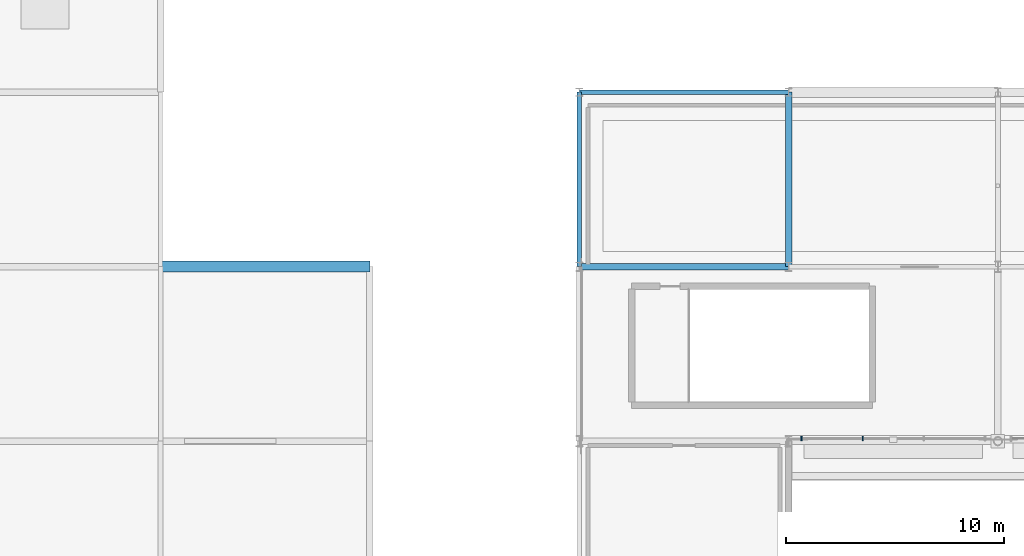
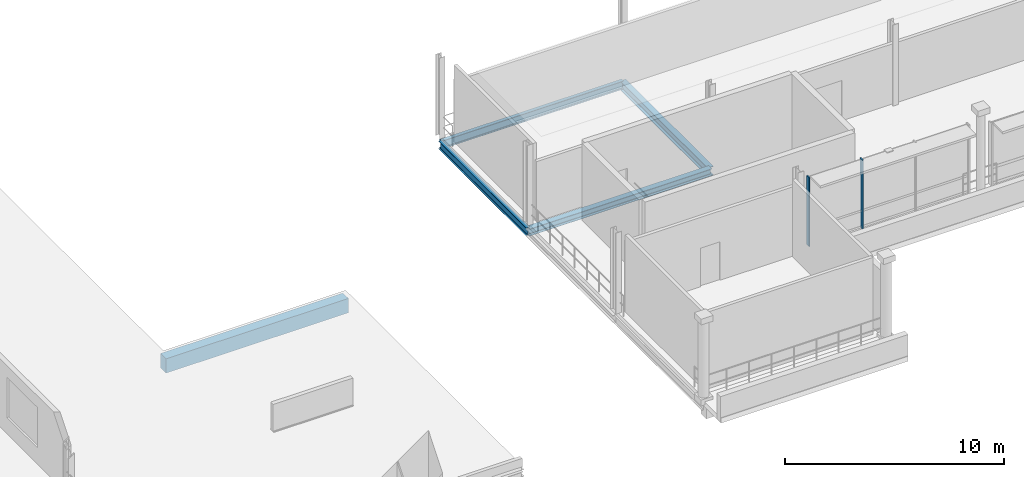
# One storey, part 73 of 193: 5 beams, 2 members, 1 element without a shape of its own.
"""IFC4 building model written with IfcOpenShell, lengths in metres."""

from ifc_helpers import new_model, si_unit, direction, frame, origin, origin_2d, place, context, subcontext, project, spatial, rectangle, i_section, extrude, material, material_profile, profile_set, type_object, element, aggregate, save


model = new_model("IFC4")

# Units and contexts
model_context = context("Model", 3, precision=1e-05, world=origin(), true_north=direction((0.0, 1.0)))
body_context = subcontext(model_context, "Body", "Model", "MODEL_VIEW")
ifc_project = project(units=[si_unit("LENGTHUNIT", "METRE"), si_unit("AREAUNIT", "SQUARE_METRE"), si_unit("VOLUMEUNIT", "CUBIC_METRE"), si_unit("PLANEANGLEUNIT", "RADIAN"), si_unit("MASSUNIT", "GRAM", prefix="KILO")], contexts=[model_context])

# Site, building, storey
site_placement = place(None, origin())
site = spatial("IfcSite", under=ifc_project, at=site_placement, CompositionType="ELEMENT")
building_placement = place(site_placement, origin())
building = spatial("IfcBuilding", under=site, at=building_placement, Name="Danafjord Basin Convention Centre", CompositionType="ELEMENT")
storey_placement = place(building_placement, frame((0.0, 0.0, 11.39990234375)))
storey = spatial("IfcBuildingStorey", under=building, at=storey_placement, Name="L02", CompositionType="ELEMENT", Elevation=11.39990234375)

# Beams
ifc_material_1 = material(Name="Steel S355", Category="steel")
ifc_material_profile_1 = material_profile(ifc_material_1, i_section(OverallWidth=0.300048828125, OverallDepth=0.389892578125, WebThickness=0.010986328125, FlangeThickness=0.01904296875, FilletRadius=0.027099609375, at=origin_2d()), Name="HEA 400")
ifc_profile_set_1 = profile_set([ifc_material_profile_1], Name="Steel S355")
beam_type_1 = type_object("IfcBeamType", Name="BEAM-BM-HEA400", PredefinedType="BEAM", material=ifc_profile_set_1)
beam_1_placement = place(storey_placement, frame((144.0, 16.0, -0.4248046875), z_axis=(1.0, 0.0, 0.0), x_axis=(0.0, 1.0, 0.0)))
element("IfcBeam", 1, at=beam_1_placement, inside=storey, type_object=beam_type_1, Name="L02 girder BM-HEA400", PredefinedType="BEAM", context=body_context, shape_type="SweptSolid", body=[
    extrude(i_section(OverallWidth=0.300048828125, OverallDepth=0.389892578125, WebThickness=0.010986328125, FlangeThickness=0.01904296875, FilletRadius=0.027099609375, at=origin_2d()), origin(), (0.0, 0.0, 1.0), 9.60009765625),
])
ifc_material_profile_2 = material_profile(ifc_material_1, i_section(OverallWidth=0.300048828125, OverallDepth=0.5, WebThickness=0.014404296875, FlangeThickness=0.028076171875, FilletRadius=0.027099609375, at=origin_2d()), Name="HEB 500")
ifc_profile_set_2 = profile_set([ifc_material_profile_2], Name="Steel S355")
beam_type_2 = type_object("IfcBeamType", Name="BEAM-BM-HEB500", PredefinedType="BEAM", material=ifc_profile_set_2)
beam_2_placement = place(storey_placement, frame((153.60009765625, 16.0, -0.47998046875), z_axis=(0.0, 1.0, 0.0), x_axis=(-1.0, 0.0, 0.0)))
element("IfcBeam", 2, at=beam_2_placement, inside=storey, type_object=beam_type_2, Name="L02 transverse girder BM-HEB500", PredefinedType="BEAM", context=body_context, shape_type="SweptSolid", body=[
    extrude(i_section(OverallWidth=0.300048828125, OverallDepth=0.5, WebThickness=0.014404296875, FlangeThickness=0.028076171875, FilletRadius=0.027099609375, at=origin_2d()), origin(), (0.0, 0.0, 1.0), 8.0),
])
ifc_material_profile_3 = material_profile(ifc_material_1, i_section(OverallWidth=0.18994140625, OverallDepth=0.449951171875, WebThickness=0.009521484375, FlangeThickness=0.0146484375, FilletRadius=0.02099609375, at=origin_2d()), Name="IPE 450")
ifc_profile_set_3 = profile_set([ifc_material_profile_3], Name="Steel S355")
beam_type_3 = type_object("IfcBeamType", Name="BEAM-SP-IPE450", PredefinedType="SPANDREL", material=ifc_profile_set_3)
beam_3_placement = place(storey_placement, frame((144.0, 24.0, -0.454833984375), z_axis=(1.0, 0.0, 0.0), x_axis=(0.0, 1.0, 0.0)))
element("IfcBeam", 3, at=beam_3_placement, inside=storey, type_object=beam_type_3, Name="L02 girder SP-IPE450", PredefinedType="SPANDREL", context=body_context, shape_type="SweptSolid", body=[
    extrude(i_section(OverallWidth=0.18994140625, OverallDepth=0.449951171875, WebThickness=0.009521484375, FlangeThickness=0.0146484375, FilletRadius=0.02099609375, at=origin_2d()), origin(), (0.0, 0.0, 1.0), 9.60009765625),
])
beam_4_placement = place(storey_placement, frame((144.0, 16.0, -0.454833984375), z_axis=(0.0, 1.0, 0.0), x_axis=(-1.0, 0.0, 0.0)))
element("IfcBeam", 4, at=beam_4_placement, inside=storey, type_object=beam_type_3, Name="L02 transverse girder SP-IPE450", PredefinedType="SPANDREL", context=body_context, shape_type="SweptSolid", body=[
    extrude(i_section(OverallWidth=0.18994140625, OverallDepth=0.449951171875, WebThickness=0.009521484375, FlangeThickness=0.0146484375, FilletRadius=0.02099609375, at=origin_2d()), origin(), (0.0, 0.0, 1.0), 8.0),
])
ifc_material_2 = material(Name="Precast concrete C45/55", Category="concrete")
ifc_material_profile_4 = material_profile(ifc_material_2, rectangle(XDim=0.5, YDim=0.800048828125, at=origin_2d()), Name="PCB 500x800")
ifc_profile_set_4 = profile_set([ifc_material_profile_4], Name="Precast concrete C45/55")
beam_type_4 = type_object("IfcBeamType", Name="BEAM-SP-PCB800", PredefinedType="SPANDREL", material=ifc_profile_set_4)
beam_5_placement = place(storey_placement, frame((124.800048828125, 16.0, -1.06494140625), z_axis=(1.0, 0.0, 0.0), x_axis=(0.0, 1.0, 0.0)))
element("IfcBeam", 5, at=beam_5_placement, inside=storey, type_object=beam_type_4, Name="L02 girder SP-PCB800", PredefinedType="SPANDREL", context=body_context, shape_type="SweptSolid", body=[
    extrude(rectangle(XDim=0.5, YDim=0.800048828125, at=origin_2d()), origin(), (0.0, 0.0, 1.0), 9.599853515625),
])

# Curtain wall, members
ifc_material_3 = material(Name="Anodised aluminium and triple glazing", Category="aluminium")
curtain_wall_type = type_object("IfcCurtainWallType", Name="CW-CW-HARB", PredefinedType="NOTDEFINED", material=ifc_material_3)
curtain_wall_placement = place(storey_placement, origin())
curtain_wall = element("IfcCurtainWall", 6, at=curtain_wall_placement, inside=storey, type_object=curtain_wall_type, Name="L02 CW-HARB unitised curtain wall bay 147", PredefinedType="NOTDEFINED")
ifc_material_4 = material(Name="Anodised aluminium EN AW-6060", Category="aluminium")
ifc_material_profile_5 = material_profile(ifc_material_4, rectangle(XDim=0.06494140625, YDim=0.219970703125, at=origin_2d()), Name="MULL 65x220")
ifc_profile_set_5 = profile_set([ifc_material_profile_5], Name="Anodised aluminium EN AW-6060")
member_type = type_object("IfcMemberType", Name="MEM-ML-220", PredefinedType="MULLION", material=ifc_profile_set_5)
member_1_placement = place(storey_placement, frame((154.199951171875, 8.1201171875, -0.02490234375), z_axis=(0.0, 0.0, 1.0), x_axis=(1.0, 0.0, 0.0)))
member_1 = element("IfcMember", 7, at=member_1_placement, type_object=member_type, Name="CW-L02-147 mullion 1", PredefinedType="MULLION", context=body_context, shape_type="SweptSolid", body=[
    extrude(rectangle(XDim=0.06494140625, YDim=0.219970703125, at=origin_2d()), origin(), (0.0, 0.0, 1.0), 3.841064453125),
])
member_2_placement = place(storey_placement, frame((157.0, 8.1201171875, -0.02490234375), z_axis=(0.0, 0.0, 1.0), x_axis=(1.0, 0.0, 0.0)))
member_2 = element("IfcMember", 8, at=member_2_placement, type_object=member_type, Name="CW-L02-147 mullion 2", PredefinedType="MULLION", context=body_context, shape_type="SweptSolid", body=[
    extrude(rectangle(XDim=0.06494140625, YDim=0.219970703125, at=origin_2d()), origin(), (0.0, 0.0, 1.0), 3.841064453125),
])
aggregate(curtain_wall, [member_1, member_2])

save(model, "model.ifc")
